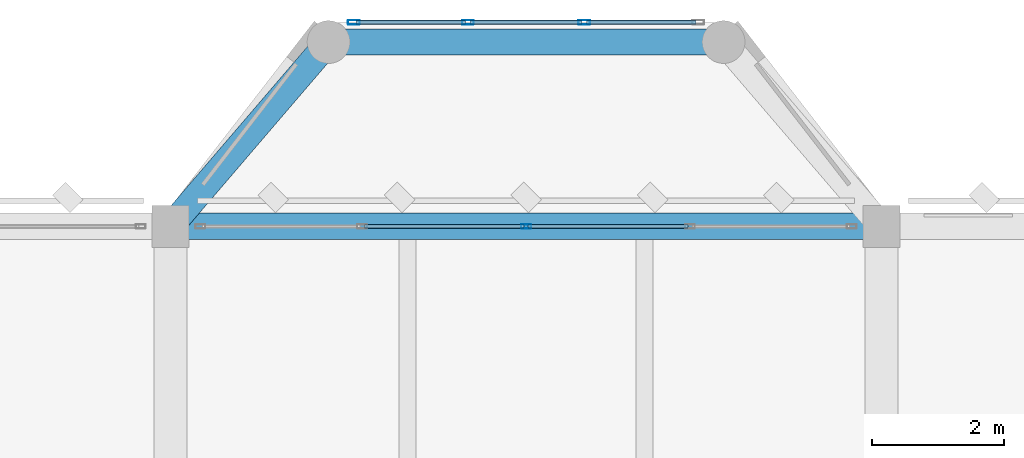
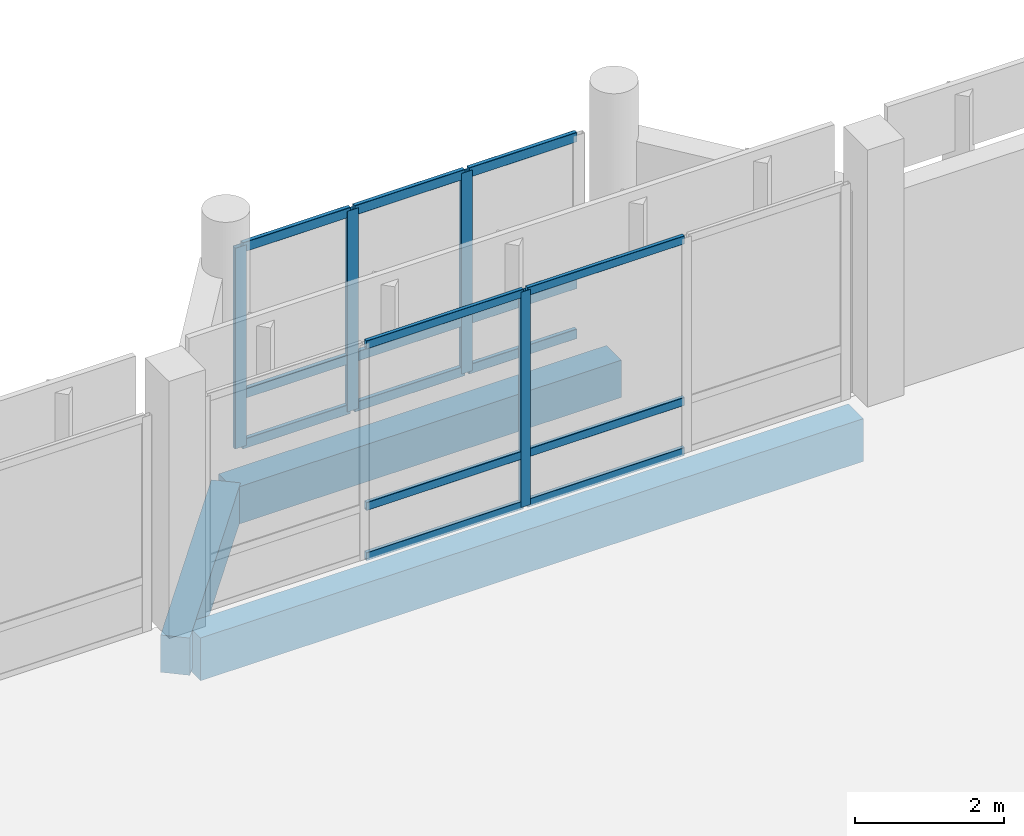
# One storey, part 44 of 158: 19 members, 3 beams, 2 elements without a shape of their own.
"""IFC4 building model written with IfcOpenShell, lengths in metres."""

import ifcopenshell
import ifcopenshell.guid

model = None  # the IFC model being written
_history = None  # IfcOwnerHistory: only IFC2X3 demands one
_inside = {}  # id of a spatial element -> (the spatial element, [elements in it])
_under = {}  # id of a project, library or spatial element -> (it, [spatial elements below it])
_declared = {}  # id of a project -> (the project, [libraries it declares])
_typed = {}  # id of a type object -> (the type object, [elements of that type])
_made_of = {}  # id of a material, layer set ... -> (it, [elements and type objects made of it])


def new_model(schema):
    """Start an empty IFC model of exactly this schema.

    Asked for "IFC4X3", IfcOpenShell would pick the latest addendum, in which some entities
    have other attributes; the version numbers below select the first issue.
    IFC2X3 requires an IfcOwnerHistory on every rooted entity: one is made here for all.
    """
    global model, _history
    if schema == "IFC4X3":
        model = ifcopenshell.file(schema_version=(4, 3, 0, 0))
    else:
        model = ifcopenshell.file(schema=schema)
    _inside.clear()
    _under.clear()
    _declared.clear()
    _typed.clear()
    _made_of.clear()
    _history = None
    if model.schema == "IFC2X3":
        org = make("IfcOrganization", Name="unknown")
        user = make(
            "IfcPersonAndOrganization",
            ThePerson=make("IfcPerson", FamilyName="unknown"),
            TheOrganization=org,
        )
        app = make(
            "IfcApplication",
            ApplicationDeveloper=org,
            Version="unknown",
            ApplicationFullName="unknown",
            ApplicationIdentifier="unknown",
        )
        _history = make(
            "IfcOwnerHistory",
            OwningUser=user,
            OwningApplication=app,
            ChangeAction="ADDED",
            CreationDate=0,
        )
    return model


def make(cls, **values):
    """One entity of the class cls with the attributes given. An attribute that is None is left unset."""
    return model.create_entity(
        cls, **{name: value for name, value in values.items() if value is not None}
    )


def rooted(cls, **values):
    """An entity with a GlobalId (a new one), such as an element, a storey or a relation."""
    return make(cls, GlobalId=ifcopenshell.guid.new(), OwnerHistory=_history, **values)


def si_unit(unit_type, name, prefix=None):
    """IfcSIUnit, for example si_unit("LENGTHUNIT", "METRE", prefix="MILLI")."""
    return make("IfcSIUnit", UnitType=unit_type, Prefix=prefix, Name=name)


def assignment(units):
    """IfcUnitAssignment: the units of a project."""
    return None if units is None else make("IfcUnitAssignment", Units=units)


def point(xyz):
    """IfcCartesianPoint."""
    return None if xyz is None else make("IfcCartesianPoint", Coordinates=xyz)


def direction(xyz):
    """IfcDirection."""
    return None if xyz is None else make("IfcDirection", DirectionRatios=xyz)


def frame(location, z_axis=None, x_axis=None):
    """IfcAxis2Placement3D, a coordinate frame: its origin and axes. An axis left out is left unset."""
    return make(
        "IfcAxis2Placement3D",
        Location=point(location),
        Axis=direction(z_axis),
        RefDirection=direction(x_axis),
    )


def frame_2d(location, x_axis=None):
    """IfcAxis2Placement2D, a coordinate frame in the plane: its origin and x axis."""
    return make(
        "IfcAxis2Placement2D", Location=point(location), RefDirection=direction(x_axis)
    )


def origin():
    """The frame at (0, 0, 0) with its axes left unset."""
    return frame((0.0, 0.0, 0.0))


def origin_2d():
    """The frame at (0, 0) in the plane with its x axis left unset."""
    return frame_2d((0.0, 0.0))


def place(relative_to, where):
    """IfcLocalPlacement: puts the frame where relative to a parent placement (None: the world)."""
    return make(
        "IfcLocalPlacement", PlacementRelTo=relative_to, RelativePlacement=where
    )


def context(
    kind, dimensions, precision=None, world=None, true_north=None, identifier=None
):
    """IfcGeometricRepresentationContext, for example the 3D "Model" context."""
    return make(
        "IfcGeometricRepresentationContext",
        ContextIdentifier=identifier,
        ContextType=kind,
        CoordinateSpaceDimension=dimensions,
        Precision=precision,
        WorldCoordinateSystem=world,
        TrueNorth=true_north,
    )


def subcontext(parent, identifier, kind, view, scale=None):
    """IfcGeometricRepresentationSubContext, for example "Body" below "Model"."""
    return make(
        "IfcGeometricRepresentationSubContext",
        ContextIdentifier=identifier,
        ContextType=kind,
        ParentContext=parent,
        TargetScale=scale,
        TargetView=view,
    )


def project(units=None, contexts=None):
    """IfcProject with its units and contexts."""
    return rooted(
        "IfcProject",
        Name="project",
        RepresentationContexts=contexts,
        UnitsInContext=assignment(units),
    )


def spatial(cls, under=None, at=None, **own):
    """A site, building, storey or space (cls), placed at a placement, below another one or the project."""
    s = rooted(cls, ObjectPlacement=at, **own)
    if under is not None:
        _under.setdefault(under.id(), (under, []))[1].append(s)
    return s


def profile(cls, at=None, kind="AREA", **sizes):
    """A parametric profile (cls). Its sizes go by their IFC names, for example OverallWidth=200.0."""
    return make(cls, ProfileType=kind, Position=at, **sizes)


def rectangle(**sizes):
    """IfcRectangleProfileDef."""
    return profile("IfcRectangleProfileDef", **sizes)


def hollow_rectangle(**sizes):
    """IfcRectangleHollowProfileDef."""
    return profile("IfcRectangleHollowProfileDef", **sizes)


def extrude(swept, where, along, depth):
    """IfcExtrudedAreaSolid: the profile swept, set in the frame where, extruded along a direction by depth."""
    return make(
        "IfcExtrudedAreaSolid",
        SweptArea=swept,
        Position=where,
        ExtrudedDirection=direction(along),
        Depth=depth,
    )


def shape(context_of_items, identifier, shape_type, items):
    """IfcShapeRepresentation: the items that make up one representation, for example the "Body"."""
    return make(
        "IfcShapeRepresentation",
        ContextOfItems=context_of_items,
        RepresentationIdentifier=identifier,
        RepresentationType=shape_type,
        Items=items,
    )


def material(Name=None, Category=None):
    """IfcMaterial."""
    return make("IfcMaterial", Name=Name, Category=Category)


def material_profile(
    of_material, cross_section, Name=None, Category=None, Priority=None
):
    """IfcMaterialProfile: a cross section and its material."""
    return make(
        "IfcMaterialProfile",
        Name=Name,
        Material=of_material,
        Profile=cross_section,
        Priority=Priority,
        Category=Category,
    )


def profile_set(profiles, Name=None, composite=None):
    """IfcMaterialProfileSet."""
    return make(
        "IfcMaterialProfileSet",
        Name=Name,
        MaterialProfiles=profiles,
        CompositeProfile=composite,
    )


def made_of(thing, what):
    """Note that an element or type object is made of a material, layer set ...; save() writes the relation."""
    if what is not None:
        _made_of.setdefault(what.id(), (what, []))[1].append(thing)
    return thing


def type_object(cls, material=None, **own):
    """A type object (cls), such as IfcWallType, which elements share."""
    return made_of(rooted(cls, **own), material)


def element(
    cls,
    number,
    at=None,
    inside=None,
    cuts=None,
    type_object=None,
    material=None,
    context=None,
    identifier="Body",
    shape_type=None,
    held_by="IfcProductDefinitionShape",
    body=None,
    shapes=None,
    **own,
):
    """One element of the class cls, such as IfcWall. Its Tag is "e" and its number.

    at: its placement. inside: the storey or other place that contains it. cuts: it is an
    opening in that element (IfcRelVoidsElement). A single representation is given by context,
    identifier, shape_type and body (its items); several are given by shapes. held_by: the class
    of the entity that holds the representations. save() writes the other relations.
    """
    e = rooted(cls, Tag="e%d" % number, ObjectPlacement=at, **own)
    if body is not None:
        shapes = [shape(context, identifier, shape_type, body)]
    if shapes is not None:
        e.Representation = make(held_by, Representations=shapes)
    if inside is not None:
        _inside.setdefault(inside.id(), (inside, []))[1].append(e)
    if cuts is not None:
        rooted(
            "IfcRelVoidsElement", RelatingBuildingElement=cuts, RelatedOpeningElement=e
        )
    if type_object is not None:
        _typed.setdefault(type_object.id(), (type_object, []))[1].append(e)
    return made_of(e, material)


def aggregate(whole, parts):
    """IfcRelAggregates: a whole, such as a stair, and the parts it consists of."""
    return rooted("IfcRelAggregates", RelatingObject=whole, RelatedObjects=parts)


def save(model, path):
    """Write the relations noted so far, then the file.

    IfcRelAggregates (storeys below a building ...), IfcRelContainedInSpatialStructure (elements
    in a storey), IfcRelDefinesByType, IfcRelAssociatesMaterial and IfcRelDeclares: one each for
    every whole, place, type object, material and project.
    """
    for whole, parts in _under.values():
        aggregate(whole, parts)
    for where, things in _inside.values():
        rooted(
            "IfcRelContainedInSpatialStructure",
            RelatedElements=things,
            RelatingStructure=where,
        )
    for kind, things in _typed.values():
        rooted("IfcRelDefinesByType", RelatedObjects=things, RelatingType=kind)
    for what, things in _made_of.values():
        rooted("IfcRelAssociatesMaterial", RelatedObjects=things, RelatingMaterial=what)
    for by, libraries in _declared.values():
        rooted("IfcRelDeclares", RelatingContext=by, RelatedDefinitions=libraries)
    model.write(path)


model = new_model("IFC4")

# Units and contexts
model_context = context("Model", 3, precision=1e-05, world=origin(), true_north=direction((0.0, 1.0)))
body_context = subcontext(model_context, "Body", "Model", "MODEL_VIEW")
ifc_project = project(units=[si_unit("LENGTHUNIT", "METRE"), si_unit("AREAUNIT", "SQUARE_METRE"), si_unit("VOLUMEUNIT", "CUBIC_METRE"), si_unit("PLANEANGLEUNIT", "RADIAN"), si_unit("MASSUNIT", "GRAM", prefix="KILO")], contexts=[model_context])

# Site, building, storey
site_placement = place(None, origin())
site = spatial("IfcSite", under=ifc_project, at=site_placement, CompositionType="ELEMENT")
building_placement = place(site_placement, origin())
building = spatial("IfcBuilding", under=site, at=building_placement, Name="Lusvemor Sports Hall", CompositionType="ELEMENT")
storey_placement = place(building_placement, frame((0.0, 0.0, 10.800048828125)))
storey = spatial("IfcBuildingStorey", under=building, at=storey_placement, Name="L02", CompositionType="ELEMENT", Elevation=10.800048828125)

# Curtain wall, members
ifc_material_1 = material(Name="Thermally broken bronze-anodized aluminium", Category="aluminium")
curtain_wall_type_1 = type_object("IfcCurtainWallType", Name="CW_FOYER_A", PredefinedType="NOTDEFINED", material=ifc_material_1)
curtain_wall_1_placement = place(storey_placement, origin())
curtain_wall_1 = element("IfcCurtainWall", 1, at=curtain_wall_1_placement, inside=storey, type_object=curtain_wall_type_1, Name="Curtain Wall CW-BOW-N1-L02-M", PredefinedType="NOTDEFINED")
ifc_material_2 = material(Name="Thermally broken bronze-anodized aluminium", Category="aluminium")
ifc_material_profile_1 = material_profile(ifc_material_2, hollow_rectangle(XDim=0.070068359375, YDim=0.179931640625, WallThickness=0.0048828125, InnerFilletRadius=0.0048828125, OuterFilletRadius=0.010009765625, at=origin_2d()), Name="CWMUL180x70x5")
ifc_profile_set_1 = profile_set([ifc_material_profile_1], Name="Thermally broken bronze-anodized aluminium")
member_type_1 = type_object("IfcMemberType", Name="CW_MUL_A", PredefinedType="MULLION", material=ifc_profile_set_1)
member_1_placement = place(storey_placement, frame((24.385009765625, 118.300048828125, 0.0), z_axis=(0.0, 0.0, 1.0), x_axis=(0.0, 1.0, 0.0)))
member_1 = element("IfcMember", 2, at=member_1_placement, type_object=member_type_1, Name="CW01 mullion 1", PredefinedType="MULLION", context=body_context, shape_type="SweptSolid", body=[
    extrude(hollow_rectangle(XDim=0.070068359375, YDim=0.179931640625, WallThickness=0.0048828125, InnerFilletRadius=0.0048828125, OuterFilletRadius=0.010009765625, at=origin_2d()), origin(), (0.0, 0.0, 1.0), 3.280029296875),
])
member_2_placement = place(storey_placement, frame((26.11669921875, 118.300048828125, 0.0), z_axis=(0.0, 0.0, 1.0), x_axis=(0.0, 1.0, 0.0)))
member_2 = element("IfcMember", 3, at=member_2_placement, type_object=member_type_1, Name="CW01 mullion 2", PredefinedType="MULLION", context=body_context, shape_type="SweptSolid", body=[
    extrude(hollow_rectangle(XDim=0.070068359375, YDim=0.179931640625, WallThickness=0.0048828125, InnerFilletRadius=0.0048828125, OuterFilletRadius=0.010009765625, at=origin_2d()), origin(), (0.0, 0.0, 1.0), 3.280029296875),
])
member_3_placement = place(storey_placement, frame((27.88330078125, 118.300048828125, 0.0), z_axis=(0.0, 0.0, 1.0), x_axis=(0.0, 1.0, 0.0)))
member_3 = element("IfcMember", 4, at=member_3_placement, type_object=member_type_1, Name="CW01 mullion 3", PredefinedType="MULLION", context=body_context, shape_type="SweptSolid", body=[
    extrude(hollow_rectangle(XDim=0.070068359375, YDim=0.179931640625, WallThickness=0.0048828125, InnerFilletRadius=0.0048828125, OuterFilletRadius=0.010009765625, at=origin_2d()), origin(), (0.0, 0.0, 1.0), 3.280029296875),
])

# Curtain wall, member
ifc_material_3 = material(Name="Thermally broken bronze-anodized aluminium", Category="aluminium")
curtain_wall_type_2 = type_object("IfcCurtainWallType", Name="CW_WING_B", PredefinedType="NOTDEFINED", material=ifc_material_3)
curtain_wall_2_placement = place(storey_placement, origin())
curtain_wall_2 = element("IfcCurtainWall", 5, at=curtain_wall_2_placement, inside=storey, type_object=curtain_wall_type_2, Name="Curtain Wall CW-L02-N-1-2", PredefinedType="NOTDEFINED")
ifc_material_4 = material(Name="Thermally broken bronze-anodized aluminium", Category="aluminium")
ifc_material_profile_2 = material_profile(ifc_material_4, hollow_rectangle(XDim=0.06494140625, YDim=0.14990234375, WallThickness=0.00390625, InnerFilletRadius=0.00390625, OuterFilletRadius=0.008056640625, at=origin_2d()), Name="CWMUL150x65x4")
ifc_profile_set_2 = profile_set([ifc_material_profile_2], Name="Thermally broken bronze-anodized aluminium")
member_type_2 = type_object("IfcMemberType", Name="CW_MUL_B", PredefinedType="MULLION", material=ifc_profile_set_2)
member_4_placement = place(storey_placement, frame((27.0, 115.199951171875, 0.0), z_axis=(0.0, 0.0, 1.0), x_axis=(0.0, 1.0, 0.0)))
member_4 = element("IfcMember", 6, at=member_4_placement, type_object=member_type_2, Name="CW02 mullion 3", PredefinedType="MULLION", context=body_context, shape_type="SweptSolid", body=[
    extrude(hollow_rectangle(XDim=0.06494140625, YDim=0.14990234375, WallThickness=0.00390625, InnerFilletRadius=0.00390625, OuterFilletRadius=0.008056640625, at=origin_2d()), origin(), (0.0, 0.0, 1.0), 3.52001953125),
])

# Member
ifc_material_5 = material(Name="Thermally broken bronze-anodized aluminium", Category="aluminium")
ifc_material_profile_3 = material_profile(ifc_material_5, hollow_rectangle(XDim=0.06494140625, YDim=0.159912109375, WallThickness=0.00390625, InnerFilletRadius=0.00390625, OuterFilletRadius=0.008056640625, at=origin_2d()), Name="CWTRN160x65x4")
ifc_profile_set_3 = profile_set([ifc_material_profile_3], Name="Thermally broken bronze-anodized aluminium")
member_type_3 = type_object("IfcMemberType", Name="CW_TRN_A", PredefinedType="USERDEFINED", material=ifc_profile_set_3)
member_5_placement = place(storey_placement, frame((24.419921875, 118.300048828125, 0.032470703125), z_axis=(1.0, 0.0, 0.0), x_axis=(0.0, 1.0, 0.0)))
member_5 = element("IfcMember", 7, at=member_5_placement, type_object=member_type_3, Name="CW01 transom 1.1", ObjectType="TRANSOM", PredefinedType="USERDEFINED", context=body_context, shape_type="SweptSolid", body=[
    extrude(hollow_rectangle(XDim=0.06494140625, YDim=0.159912109375, WallThickness=0.00390625, InnerFilletRadius=0.00390625, OuterFilletRadius=0.008056640625, at=origin_2d()), origin(), (0.0, 0.0, 1.0), 1.661865234375),
])

member_6_placement = place(storey_placement, frame((24.419921875, 118.300048828125, 0.849853515625), z_axis=(1.0, 0.0, 0.0), x_axis=(0.0, 1.0, 0.0)))
member_6 = element("IfcMember", 8, at=member_6_placement, type_object=member_type_3, Name="CW01 transom 1.2", ObjectType="TRANSOM", PredefinedType="USERDEFINED", context=body_context, shape_type="SweptSolid", body=[
    extrude(hollow_rectangle(XDim=0.06494140625, YDim=0.159912109375, WallThickness=0.00390625, InnerFilletRadius=0.00390625, OuterFilletRadius=0.008056640625, at=origin_2d()), origin(), (0.0, 0.0, 1.0), 1.661865234375),
])

member_7_placement = place(storey_placement, frame((24.419921875, 118.300048828125, 3.24755859375), z_axis=(1.0, 0.0, 0.0), x_axis=(0.0, 1.0, 0.0)))
member_7 = element("IfcMember", 9, at=member_7_placement, type_object=member_type_3, Name="CW01 transom 1.3", ObjectType="TRANSOM", PredefinedType="USERDEFINED", context=body_context, shape_type="SweptSolid", body=[
    extrude(hollow_rectangle(XDim=0.06494140625, YDim=0.159912109375, WallThickness=0.00390625, InnerFilletRadius=0.00390625, OuterFilletRadius=0.008056640625, at=origin_2d()), origin(), (0.0, 0.0, 1.0), 1.661865234375),
])

member_8_placement = place(storey_placement, frame((26.151611328125, 118.300048828125, 0.032470703125), z_axis=(1.0, 0.0, 0.0), x_axis=(0.0, 1.0, 0.0)))
member_8 = element("IfcMember", 10, at=member_8_placement, type_object=member_type_3, Name="CW01 transom 2.1", ObjectType="TRANSOM", PredefinedType="USERDEFINED", context=body_context, shape_type="SweptSolid", body=[
    extrude(hollow_rectangle(XDim=0.06494140625, YDim=0.159912109375, WallThickness=0.00390625, InnerFilletRadius=0.00390625, OuterFilletRadius=0.008056640625, at=origin_2d()), origin(), (0.0, 0.0, 1.0), 1.69677734375),
])

member_9_placement = place(storey_placement, frame((26.151611328125, 118.300048828125, 0.849853515625), z_axis=(1.0, 0.0, 0.0), x_axis=(0.0, 1.0, 0.0)))
member_9 = element("IfcMember", 11, at=member_9_placement, type_object=member_type_3, Name="CW01 transom 2.2", ObjectType="TRANSOM", PredefinedType="USERDEFINED", context=body_context, shape_type="SweptSolid", body=[
    extrude(hollow_rectangle(XDim=0.06494140625, YDim=0.159912109375, WallThickness=0.00390625, InnerFilletRadius=0.00390625, OuterFilletRadius=0.008056640625, at=origin_2d()), origin(), (0.0, 0.0, 1.0), 1.69677734375),
])

member_10_placement = place(storey_placement, frame((26.151611328125, 118.300048828125, 3.24755859375), z_axis=(1.0, 0.0, 0.0), x_axis=(0.0, 1.0, 0.0)))
member_10 = element("IfcMember", 12, at=member_10_placement, type_object=member_type_3, Name="CW01 transom 2.3", ObjectType="TRANSOM", PredefinedType="USERDEFINED", context=body_context, shape_type="SweptSolid", body=[
    extrude(hollow_rectangle(XDim=0.06494140625, YDim=0.159912109375, WallThickness=0.00390625, InnerFilletRadius=0.00390625, OuterFilletRadius=0.008056640625, at=origin_2d()), origin(), (0.0, 0.0, 1.0), 1.69677734375),
])

member_11_placement = place(storey_placement, frame((27.918212890625, 118.300048828125, 0.032470703125), z_axis=(1.0, 0.0, 0.0), x_axis=(0.0, 1.0, 0.0)))
member_11 = element("IfcMember", 13, at=member_11_placement, type_object=member_type_3, Name="CW01 transom 3.1", ObjectType="TRANSOM", PredefinedType="USERDEFINED", context=body_context, shape_type="SweptSolid", body=[
    extrude(hollow_rectangle(XDim=0.06494140625, YDim=0.159912109375, WallThickness=0.00390625, InnerFilletRadius=0.00390625, OuterFilletRadius=0.008056640625, at=origin_2d()), origin(), (0.0, 0.0, 1.0), 1.661865234375),
])

member_12_placement = place(storey_placement, frame((27.918212890625, 118.300048828125, 0.849853515625), z_axis=(1.0, 0.0, 0.0), x_axis=(0.0, 1.0, 0.0)))
member_12 = element("IfcMember", 14, at=member_12_placement, type_object=member_type_3, Name="CW01 transom 3.2", ObjectType="TRANSOM", PredefinedType="USERDEFINED", context=body_context, shape_type="SweptSolid", body=[
    extrude(hollow_rectangle(XDim=0.06494140625, YDim=0.159912109375, WallThickness=0.00390625, InnerFilletRadius=0.00390625, OuterFilletRadius=0.008056640625, at=origin_2d()), origin(), (0.0, 0.0, 1.0), 1.661865234375),
])

member_13_placement = place(storey_placement, frame((27.918212890625, 118.300048828125, 3.24755859375), z_axis=(1.0, 0.0, 0.0), x_axis=(0.0, 1.0, 0.0)))
member_13 = element("IfcMember", 15, at=member_13_placement, type_object=member_type_3, Name="CW01 transom 3.3", ObjectType="TRANSOM", PredefinedType="USERDEFINED", context=body_context, shape_type="SweptSolid", body=[
    extrude(hollow_rectangle(XDim=0.06494140625, YDim=0.159912109375, WallThickness=0.00390625, InnerFilletRadius=0.00390625, OuterFilletRadius=0.008056640625, at=origin_2d()), origin(), (0.0, 0.0, 1.0), 1.661865234375),
])

aggregate(curtain_wall_1, [member_1, member_2, member_3, member_5, member_6, member_7, member_8, member_9, member_10, member_11, member_12, member_13])

ifc_material_6 = material(Name="Thermally broken bronze-anodized aluminium", Category="aluminium")
ifc_material_profile_4 = material_profile(ifc_material_6, hollow_rectangle(XDim=0.06005859375, YDim=0.135009765625, WallThickness=0.00390625, InnerFilletRadius=0.00390625, OuterFilletRadius=0.008056640625, at=origin_2d()), Name="CWTRN135x60x4")
ifc_profile_set_4 = profile_set([ifc_material_profile_4], Name="Thermally broken bronze-anodized aluminium")
member_type_4 = type_object("IfcMemberType", Name="CW_TRN_B", PredefinedType="USERDEFINED", material=ifc_profile_set_4)
member_14_placement = place(storey_placement, frame((24.54248046875, 115.199951171875, 0.030029296875), z_axis=(1.0, 0.0, 0.0), x_axis=(0.0, 1.0, 0.0)))
member_14 = element("IfcMember", 16, at=member_14_placement, type_object=member_type_4, Name="CW02 transom 2.1", ObjectType="TRANSOM", PredefinedType="USERDEFINED", context=body_context, shape_type="SweptSolid", body=[
    extrude(hollow_rectangle(XDim=0.06005859375, YDim=0.135009765625, WallThickness=0.00390625, InnerFilletRadius=0.00390625, OuterFilletRadius=0.008056640625, at=origin_2d()), origin(), (0.0, 0.0, 1.0), 2.425048828125),
])

member_15_placement = place(storey_placement, frame((24.54248046875, 115.199951171875, 0.849853515625), z_axis=(1.0, 0.0, 0.0), x_axis=(0.0, 1.0, 0.0)))
member_15 = element("IfcMember", 17, at=member_15_placement, type_object=member_type_4, Name="CW02 transom 2.2", ObjectType="TRANSOM", PredefinedType="USERDEFINED", context=body_context, shape_type="SweptSolid", body=[
    extrude(hollow_rectangle(XDim=0.06005859375, YDim=0.135009765625, WallThickness=0.00390625, InnerFilletRadius=0.00390625, OuterFilletRadius=0.008056640625, at=origin_2d()), origin(), (0.0, 0.0, 1.0), 2.425048828125),
])

member_16_placement = place(storey_placement, frame((24.54248046875, 115.199951171875, 3.489990234375), z_axis=(1.0, 0.0, 0.0), x_axis=(0.0, 1.0, 0.0)))
member_16 = element("IfcMember", 18, at=member_16_placement, type_object=member_type_4, Name="CW02 transom 2.3", ObjectType="TRANSOM", PredefinedType="USERDEFINED", context=body_context, shape_type="SweptSolid", body=[
    extrude(hollow_rectangle(XDim=0.06005859375, YDim=0.135009765625, WallThickness=0.00390625, InnerFilletRadius=0.00390625, OuterFilletRadius=0.008056640625, at=origin_2d()), origin(), (0.0, 0.0, 1.0), 2.425048828125),
])

member_17_placement = place(storey_placement, frame((27.032470703125, 115.199951171875, 0.030029296875), z_axis=(1.0, 0.0, 0.0), x_axis=(0.0, 1.0, 0.0)))
member_17 = element("IfcMember", 19, at=member_17_placement, type_object=member_type_4, Name="CW02 transom 3.1", ObjectType="TRANSOM", PredefinedType="USERDEFINED", context=body_context, shape_type="SweptSolid", body=[
    extrude(hollow_rectangle(XDim=0.06005859375, YDim=0.135009765625, WallThickness=0.00390625, InnerFilletRadius=0.00390625, OuterFilletRadius=0.008056640625, at=origin_2d()), origin(), (0.0, 0.0, 1.0), 2.425048828125),
])

member_18_placement = place(storey_placement, frame((27.032470703125, 115.199951171875, 0.849853515625), z_axis=(1.0, 0.0, 0.0), x_axis=(0.0, 1.0, 0.0)))
member_18 = element("IfcMember", 20, at=member_18_placement, type_object=member_type_4, Name="CW02 transom 3.2", ObjectType="TRANSOM", PredefinedType="USERDEFINED", context=body_context, shape_type="SweptSolid", body=[
    extrude(hollow_rectangle(XDim=0.06005859375, YDim=0.135009765625, WallThickness=0.00390625, InnerFilletRadius=0.00390625, OuterFilletRadius=0.008056640625, at=origin_2d()), origin(), (0.0, 0.0, 1.0), 2.425048828125),
])

member_19_placement = place(storey_placement, frame((27.032470703125, 115.199951171875, 3.489990234375), z_axis=(1.0, 0.0, 0.0), x_axis=(0.0, 1.0, 0.0)))
member_19 = element("IfcMember", 21, at=member_19_placement, type_object=member_type_4, Name="CW02 transom 3.3", ObjectType="TRANSOM", PredefinedType="USERDEFINED", context=body_context, shape_type="SweptSolid", body=[
    extrude(hollow_rectangle(XDim=0.06005859375, YDim=0.135009765625, WallThickness=0.00390625, InnerFilletRadius=0.00390625, OuterFilletRadius=0.008056640625, at=origin_2d()), origin(), (0.0, 0.0, 1.0), 2.425048828125),
])

aggregate(curtain_wall_2, [member_4, member_14, member_15, member_16, member_17, member_18, member_19])

# Beams
ifc_material_7 = material(Name="Concrete C40/50", Category="concrete")
ifc_material_profile_5 = material_profile(ifc_material_7, rectangle(XDim=0.39990234375, YDim=0.610107421875, at=origin_2d()), Name="RC400x610")
ifc_profile_set_5 = profile_set([ifc_material_profile_5], Name="Concrete C40/50")
beam_type_1 = type_object("IfcBeamType", Name="SPAND_EXT_650", PredefinedType="SPANDREL", material=ifc_profile_set_5)
beam_1_placement = place(storey_placement, frame((21.60009765625, 115.199951171875, -0.56494140625), z_axis=(0.650769565339, 0.759275294494, 0.0), x_axis=(-0.759275294494, 0.650769565339, 0.0)))
element("IfcBeam", 22, at=beam_1_placement, inside=storey, type_object=beam_type_1, Name="Bow Pavilion Edge Beam BOW-N1 L02-1", PredefinedType="SPANDREL", context=body_context, shape_type="SweptSolid", body=[
    extrude(rectangle(XDim=0.39990234375, YDim=0.610107421875, at=origin_2d()), origin(), (0.0, 0.0, 1.0), 3.687744140625),
])
beam_2_placement = place(storey_placement, frame((24.0, 118.0, -0.56494140625), z_axis=(1.0, 0.0, 0.0), x_axis=(0.0, 1.0, 0.0)))
element("IfcBeam", 23, at=beam_2_placement, inside=storey, type_object=beam_type_1, Name="Bow Pavilion Edge Beam BOW-N1 L02-2", PredefinedType="SPANDREL", context=body_context, shape_type="SweptSolid", body=[
    extrude(rectangle(XDim=0.39990234375, YDim=0.610107421875, at=origin_2d()), origin(), (0.0, 0.0, 1.0), 6.0),
])
ifc_material_8 = material(Name="Concrete C40/50", Category="concrete")
ifc_material_profile_6 = material_profile(ifc_material_8, rectangle(XDim=0.39990234375, YDim=0.699951171875, at=origin_2d()), Name="RC400x700")
ifc_profile_set_6 = profile_set([ifc_material_profile_6], Name="Concrete C40/50")
beam_type_2 = type_object("IfcBeamType", Name="SPAND_EXT_700", PredefinedType="SPANDREL", material=ifc_profile_set_6)
beam_3_placement = place(storey_placement, frame((21.8759765625, 115.199951171875, -0.610107421875), z_axis=(1.0, 0.0, 0.0), x_axis=(0.0, 1.0, 0.0)))
element("IfcBeam", 24, at=beam_3_placement, inside=storey, type_object=beam_type_2, Name="Beam L02 Q:3-4", PredefinedType="SPANDREL", context=body_context, shape_type="SweptSolid", body=[
    extrude(rectangle(XDim=0.39990234375, YDim=0.699951171875, at=origin_2d()), origin(), (0.0, 0.0, 1.0), 10.248046875),
])

save(model, "model.ifc")
